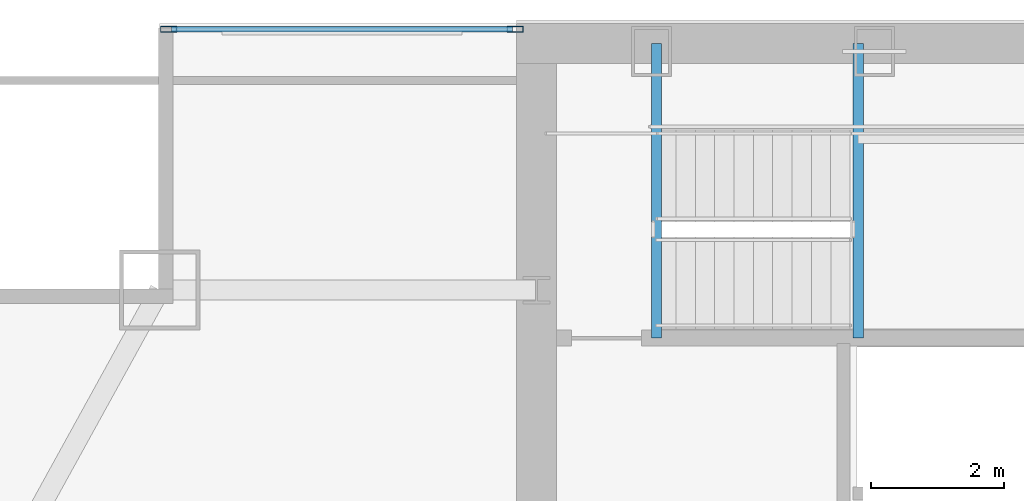
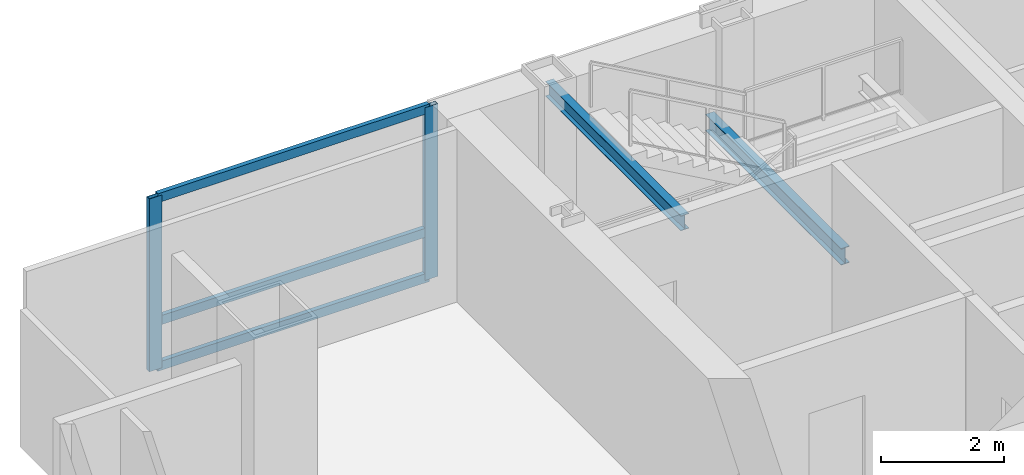
# One storey, part 23 of 32: 5 members, 2 beams, 1 element without a shape of its own.
"""IFC4 building model written with IfcOpenShell, lengths in metres."""

import ifcopenshell
import ifcopenshell.guid

model = None  # the IFC model being written
_history = None  # IfcOwnerHistory: only IFC2X3 demands one
_inside = {}  # id of a spatial element -> (the spatial element, [elements in it])
_under = {}  # id of a project, library or spatial element -> (it, [spatial elements below it])
_declared = {}  # id of a project -> (the project, [libraries it declares])
_typed = {}  # id of a type object -> (the type object, [elements of that type])
_made_of = {}  # id of a material, layer set ... -> (it, [elements and type objects made of it])


def new_model(schema):
    """Start an empty IFC model of exactly this schema.

    Asked for "IFC4X3", IfcOpenShell would pick the latest addendum, in which some entities
    have other attributes; the version numbers below select the first issue.
    IFC2X3 requires an IfcOwnerHistory on every rooted entity: one is made here for all.
    """
    global model, _history
    if schema == "IFC4X3":
        model = ifcopenshell.file(schema_version=(4, 3, 0, 0))
    else:
        model = ifcopenshell.file(schema=schema)
    _inside.clear()
    _under.clear()
    _declared.clear()
    _typed.clear()
    _made_of.clear()
    _history = None
    if model.schema == "IFC2X3":
        org = make("IfcOrganization", Name="unknown")
        user = make(
            "IfcPersonAndOrganization",
            ThePerson=make("IfcPerson", FamilyName="unknown"),
            TheOrganization=org,
        )
        app = make(
            "IfcApplication",
            ApplicationDeveloper=org,
            Version="unknown",
            ApplicationFullName="unknown",
            ApplicationIdentifier="unknown",
        )
        _history = make(
            "IfcOwnerHistory",
            OwningUser=user,
            OwningApplication=app,
            ChangeAction="ADDED",
            CreationDate=0,
        )
    return model


def make(cls, **values):
    """One entity of the class cls with the attributes given. An attribute that is None is left unset."""
    return model.create_entity(
        cls, **{name: value for name, value in values.items() if value is not None}
    )


def rooted(cls, **values):
    """An entity with a GlobalId (a new one), such as an element, a storey or a relation."""
    return make(cls, GlobalId=ifcopenshell.guid.new(), OwnerHistory=_history, **values)


def si_unit(unit_type, name, prefix=None):
    """IfcSIUnit, for example si_unit("LENGTHUNIT", "METRE", prefix="MILLI")."""
    return make("IfcSIUnit", UnitType=unit_type, Prefix=prefix, Name=name)


def assignment(units):
    """IfcUnitAssignment: the units of a project."""
    return None if units is None else make("IfcUnitAssignment", Units=units)


def point(xyz):
    """IfcCartesianPoint."""
    return None if xyz is None else make("IfcCartesianPoint", Coordinates=xyz)


def direction(xyz):
    """IfcDirection."""
    return None if xyz is None else make("IfcDirection", DirectionRatios=xyz)


def frame(location, z_axis=None, x_axis=None):
    """IfcAxis2Placement3D, a coordinate frame: its origin and axes. An axis left out is left unset."""
    return make(
        "IfcAxis2Placement3D",
        Location=point(location),
        Axis=direction(z_axis),
        RefDirection=direction(x_axis),
    )


def frame_2d(location, x_axis=None):
    """IfcAxis2Placement2D, a coordinate frame in the plane: its origin and x axis."""
    return make(
        "IfcAxis2Placement2D", Location=point(location), RefDirection=direction(x_axis)
    )


def origin():
    """The frame at (0, 0, 0) with its axes left unset."""
    return frame((0.0, 0.0, 0.0))


def origin_2d():
    """The frame at (0, 0) in the plane with its x axis left unset."""
    return frame_2d((0.0, 0.0))


def place(relative_to, where):
    """IfcLocalPlacement: puts the frame where relative to a parent placement (None: the world)."""
    return make(
        "IfcLocalPlacement", PlacementRelTo=relative_to, RelativePlacement=where
    )


def context(
    kind, dimensions, precision=None, world=None, true_north=None, identifier=None
):
    """IfcGeometricRepresentationContext, for example the 3D "Model" context."""
    return make(
        "IfcGeometricRepresentationContext",
        ContextIdentifier=identifier,
        ContextType=kind,
        CoordinateSpaceDimension=dimensions,
        Precision=precision,
        WorldCoordinateSystem=world,
        TrueNorth=true_north,
    )


def subcontext(parent, identifier, kind, view, scale=None):
    """IfcGeometricRepresentationSubContext, for example "Body" below "Model"."""
    return make(
        "IfcGeometricRepresentationSubContext",
        ContextIdentifier=identifier,
        ContextType=kind,
        ParentContext=parent,
        TargetScale=scale,
        TargetView=view,
    )


def project(units=None, contexts=None):
    """IfcProject with its units and contexts."""
    return rooted(
        "IfcProject",
        Name="project",
        RepresentationContexts=contexts,
        UnitsInContext=assignment(units),
    )


def spatial(cls, under=None, at=None, **own):
    """A site, building, storey or space (cls), placed at a placement, below another one or the project."""
    s = rooted(cls, ObjectPlacement=at, **own)
    if under is not None:
        _under.setdefault(under.id(), (under, []))[1].append(s)
    return s


def profile(cls, at=None, kind="AREA", **sizes):
    """A parametric profile (cls). Its sizes go by their IFC names, for example OverallWidth=200.0."""
    return make(cls, ProfileType=kind, Position=at, **sizes)


def hollow_rectangle(**sizes):
    """IfcRectangleHollowProfileDef."""
    return profile("IfcRectangleHollowProfileDef", **sizes)


def i_section(**sizes):
    """IfcIShapeProfileDef."""
    return profile("IfcIShapeProfileDef", **sizes)


def extrude(swept, where, along, depth):
    """IfcExtrudedAreaSolid: the profile swept, set in the frame where, extruded along a direction by depth."""
    return make(
        "IfcExtrudedAreaSolid",
        SweptArea=swept,
        Position=where,
        ExtrudedDirection=direction(along),
        Depth=depth,
    )


def shape(context_of_items, identifier, shape_type, items):
    """IfcShapeRepresentation: the items that make up one representation, for example the "Body"."""
    return make(
        "IfcShapeRepresentation",
        ContextOfItems=context_of_items,
        RepresentationIdentifier=identifier,
        RepresentationType=shape_type,
        Items=items,
    )


def material(Name=None, Category=None):
    """IfcMaterial."""
    return make("IfcMaterial", Name=Name, Category=Category)


def material_profile(
    of_material, cross_section, Name=None, Category=None, Priority=None
):
    """IfcMaterialProfile: a cross section and its material."""
    return make(
        "IfcMaterialProfile",
        Name=Name,
        Material=of_material,
        Profile=cross_section,
        Priority=Priority,
        Category=Category,
    )


def profile_set(profiles, Name=None, composite=None):
    """IfcMaterialProfileSet."""
    return make(
        "IfcMaterialProfileSet",
        Name=Name,
        MaterialProfiles=profiles,
        CompositeProfile=composite,
    )


def made_of(thing, what):
    """Note that an element or type object is made of a material, layer set ...; save() writes the relation."""
    if what is not None:
        _made_of.setdefault(what.id(), (what, []))[1].append(thing)
    return thing


def type_object(cls, material=None, **own):
    """A type object (cls), such as IfcWallType, which elements share."""
    return made_of(rooted(cls, **own), material)


def element(
    cls,
    number,
    at=None,
    inside=None,
    cuts=None,
    type_object=None,
    material=None,
    context=None,
    identifier="Body",
    shape_type=None,
    held_by="IfcProductDefinitionShape",
    body=None,
    shapes=None,
    **own,
):
    """One element of the class cls, such as IfcWall. Its Tag is "e" and its number.

    at: its placement. inside: the storey or other place that contains it. cuts: it is an
    opening in that element (IfcRelVoidsElement). A single representation is given by context,
    identifier, shape_type and body (its items); several are given by shapes. held_by: the class
    of the entity that holds the representations. save() writes the other relations.
    """
    e = rooted(cls, Tag="e%d" % number, ObjectPlacement=at, **own)
    if body is not None:
        shapes = [shape(context, identifier, shape_type, body)]
    if shapes is not None:
        e.Representation = make(held_by, Representations=shapes)
    if inside is not None:
        _inside.setdefault(inside.id(), (inside, []))[1].append(e)
    if cuts is not None:
        rooted(
            "IfcRelVoidsElement", RelatingBuildingElement=cuts, RelatedOpeningElement=e
        )
    if type_object is not None:
        _typed.setdefault(type_object.id(), (type_object, []))[1].append(e)
    return made_of(e, material)


def aggregate(whole, parts):
    """IfcRelAggregates: a whole, such as a stair, and the parts it consists of."""
    return rooted("IfcRelAggregates", RelatingObject=whole, RelatedObjects=parts)


def save(model, path):
    """Write the relations noted so far, then the file.

    IfcRelAggregates (storeys below a building ...), IfcRelContainedInSpatialStructure (elements
    in a storey), IfcRelDefinesByType, IfcRelAssociatesMaterial and IfcRelDeclares: one each for
    every whole, place, type object, material and project.
    """
    for whole, parts in _under.values():
        aggregate(whole, parts)
    for where, things in _inside.values():
        rooted(
            "IfcRelContainedInSpatialStructure",
            RelatedElements=things,
            RelatingStructure=where,
        )
    for kind, things in _typed.values():
        rooted("IfcRelDefinesByType", RelatedObjects=things, RelatingType=kind)
    for what, things in _made_of.values():
        rooted("IfcRelAssociatesMaterial", RelatedObjects=things, RelatingMaterial=what)
    for by, libraries in _declared.values():
        rooted("IfcRelDeclares", RelatingContext=by, RelatedDefinitions=libraries)
    model.write(path)


model = new_model("IFC4")

# Units and contexts
model_context = context("Model", 3, precision=1e-05, world=origin(), true_north=direction((0.0, 1.0)))
body_context = subcontext(model_context, "Body", "Model", "MODEL_VIEW")
ifc_project = project(units=[si_unit("LENGTHUNIT", "METRE"), si_unit("AREAUNIT", "SQUARE_METRE"), si_unit("VOLUMEUNIT", "CUBIC_METRE"), si_unit("PLANEANGLEUNIT", "RADIAN"), si_unit("MASSUNIT", "GRAM", prefix="KILO")], contexts=[model_context])

# Site, building, storey
site_placement = place(None, origin())
site = spatial("IfcSite", under=ifc_project, at=site_placement, CompositionType="ELEMENT")
building_placement = place(site_placement, origin())
building = spatial("IfcBuilding", under=site, at=building_placement, Name="Khoronbel Lancet Exchange", CompositionType="ELEMENT")
storey_placement = place(building_placement, frame((0.0, 0.0, 195.800048828125)))
storey = spatial("IfcBuildingStorey", under=building, at=storey_placement, Name="L49", CompositionType="ELEMENT", Elevation=195.800048828125)

# Beams
ifc_material_1 = material(Name="Steel S355", Category="steel")
ifc_material_profile_1 = material_profile(ifc_material_1, i_section(OverallWidth=0.159912109375, OverallDepth=0.330078125, WebThickness=0.007568359375, FlangeThickness=0.011474609375, at=origin_2d()), Name="IPE 330")
ifc_profile_set_1 = profile_set([ifc_material_profile_1], Name="Steel S355")
beam_type_1 = type_object("IfcBeamType", Name="BM-BJ7", PredefinedType="JOIST", material=ifc_profile_set_1)
beam_1_placement = place(storey_placement, frame((21.320068359375, 48.97998046875, 1.43505859375), z_axis=(0.0, 1.0, 0.0), x_axis=(-1.0, 0.0, 0.0)))
element("IfcBeam", 1, at=beam_1_placement, inside=storey, type_object=beam_type_1, Name="Level L49 stair ST1 landing bearer beam 1", PredefinedType="JOIST", context=body_context, shape_type="SweptSolid", body=[
    extrude(i_section(OverallWidth=0.159912109375, OverallDepth=0.330078125, WebThickness=0.007568359375, FlangeThickness=0.011474609375, at=origin_2d()), origin(), (0.0, 0.0, 1.0), 4.419921875),
])
ifc_material_profile_2 = material_profile(ifc_material_1, i_section(OverallWidth=0.14990234375, OverallDepth=0.300048828125, WebThickness=0.007080078125, FlangeThickness=0.0107421875, at=origin_2d()), Name="IPE 300")
ifc_profile_set_2 = profile_set([ifc_material_profile_2], Name="Steel S355")
beam_type_2 = type_object("IfcBeamType", Name="BM-BJ8", PredefinedType="JOIST", material=ifc_profile_set_2)
beam_2_placement = place(storey_placement, frame((18.300048828125, 48.97998046875, 3.159912109375), z_axis=(0.0, 1.0, 0.0), x_axis=(-1.0, 0.0, 0.0)))
element("IfcBeam", 2, at=beam_2_placement, inside=storey, type_object=beam_type_2, Name="Level L49 stair ST1 upper-flight arrival trimmer beam", PredefinedType="JOIST", context=body_context, shape_type="SweptSolid", body=[
    extrude(i_section(OverallWidth=0.14990234375, OverallDepth=0.300048828125, WebThickness=0.007080078125, FlangeThickness=0.0107421875, at=origin_2d()), origin(), (0.0, 0.0, 1.0), 4.419921875),
])

# Curtain wall, members
ifc_material_2 = material(Name="Low-E Solar Control Insulating Glass", Category="glass")
curtain_wall_type = type_object("IfcCurtainWallType", Name="CW-3", PredefinedType="NOTDEFINED", material=ifc_material_2)
curtain_wall_placement = place(storey_placement, origin())
curtain_wall = element("IfcCurtainWall", 3, at=curtain_wall_placement, inside=storey, type_object=curtain_wall_type, Name="Unitised curtain wall CW-L49-NWFLK", PredefinedType="NOTDEFINED")
ifc_material_3 = material(Name="Bronze-Anodised Aluminium 6063-T6", Category="aluminium")
ifc_material_profile_3 = material_profile(ifc_material_3, hollow_rectangle(XDim=0.0849609375, YDim=0.239990234375, WallThickness=0.006103515625, at=origin_2d()), Name="ALU MULLION 85x240")
ifc_profile_set_3 = profile_set([ifc_material_profile_3], Name="Bronze-Anodised Aluminium 6063-T6")
member_type_1 = type_object("IfcMemberType", Name="MEM-CWM1", PredefinedType="MULLION", material=ifc_profile_set_3)
member_1_placement = place(storey_placement, frame((16.177490234375, 53.610107421875, 0.0), z_axis=(0.0, 0.0, 1.0), x_axis=(0.0, -1.0, 0.0)))
member_1 = element("IfcMember", 4, at=member_1_placement, type_object=member_type_1, Name="CW3 mullion 1", PredefinedType="MULLION", context=body_context, shape_type="SweptSolid", body=[
    extrude(hollow_rectangle(XDim=0.0849609375, YDim=0.239990234375, WallThickness=0.006103515625, at=origin_2d()), origin(), (0.0, 0.0, 1.0), 3.43994140625),
])
member_2_placement = place(storey_placement, frame((10.982421875, 53.610107421875, 0.0), z_axis=(0.0, 0.0, 1.0), x_axis=(0.0, -1.0, 0.0)))
member_2 = element("IfcMember", 5, at=member_2_placement, type_object=member_type_1, Name="CW3 mullion 2", PredefinedType="MULLION", context=body_context, shape_type="SweptSolid", body=[
    extrude(hollow_rectangle(XDim=0.0849609375, YDim=0.239990234375, WallThickness=0.006103515625, at=origin_2d()), origin(), (0.0, 0.0, 1.0), 3.43994140625),
])
ifc_material_profile_4 = material_profile(ifc_material_3, hollow_rectangle(XDim=0.0849609375, YDim=0.179931640625, WallThickness=0.0048828125, at=origin_2d()), Name="ALU TRANSOM 85x180")
ifc_profile_set_4 = profile_set([ifc_material_profile_4], Name="Bronze-Anodised Aluminium 6063-T6")
member_type_2 = type_object("IfcMemberType", Name="MEM-CWT1", PredefinedType="USERDEFINED", material=ifc_profile_set_4)
member_3_placement = place(storey_placement, frame((16.135009765625, 53.610107421875, 0.04248046875), z_axis=(-1.0, 0.0, 0.0), x_axis=(0.0, -1.0, 0.0)))
member_3 = element("IfcMember", 6, at=member_3_placement, type_object=member_type_2, Name="CW3 transom 1.1", ObjectType="TRANSOM", PredefinedType="USERDEFINED", context=body_context, shape_type="SweptSolid", body=[
    extrude(hollow_rectangle(XDim=0.0849609375, YDim=0.179931640625, WallThickness=0.0048828125, at=origin_2d()), origin(), (0.0, 0.0, 1.0), 5.110107421875),
])
member_4_placement = place(storey_placement, frame((16.135009765625, 53.610107421875, 0.949951171875), z_axis=(-1.0, 0.0, 0.0), x_axis=(0.0, -1.0, 0.0)))
member_4 = element("IfcMember", 7, at=member_4_placement, type_object=member_type_2, Name="CW3 transom 1.2", ObjectType="TRANSOM", PredefinedType="USERDEFINED", context=body_context, shape_type="SweptSolid", body=[
    extrude(hollow_rectangle(XDim=0.0849609375, YDim=0.179931640625, WallThickness=0.0048828125, at=origin_2d()), origin(), (0.0, 0.0, 1.0), 5.110107421875),
])
member_5_placement = place(storey_placement, frame((16.135009765625, 53.610107421875, 3.3974609375), z_axis=(-1.0, 0.0, 0.0), x_axis=(0.0, -1.0, 0.0)))
member_5 = element("IfcMember", 8, at=member_5_placement, type_object=member_type_2, Name="CW3 transom 1.3", ObjectType="TRANSOM", PredefinedType="USERDEFINED", context=body_context, shape_type="SweptSolid", body=[
    extrude(hollow_rectangle(XDim=0.0849609375, YDim=0.179931640625, WallThickness=0.0048828125, at=origin_2d()), origin(), (0.0, 0.0, 1.0), 5.110107421875),
])
aggregate(curtain_wall, [member_1, member_2, member_3, member_4, member_5])

save(model, "model.ifc")
